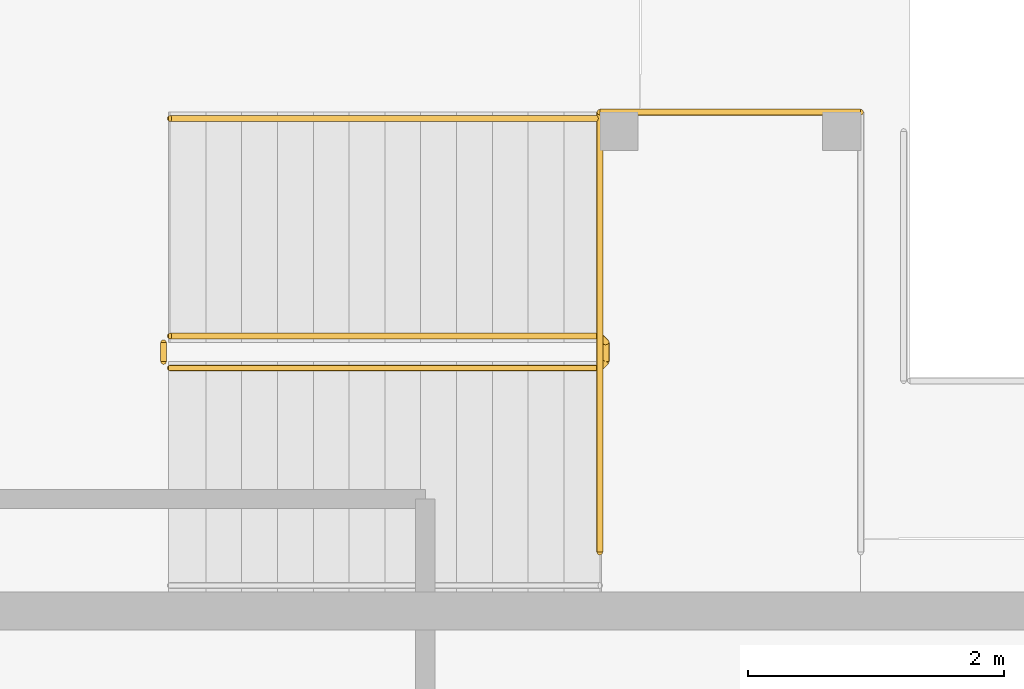
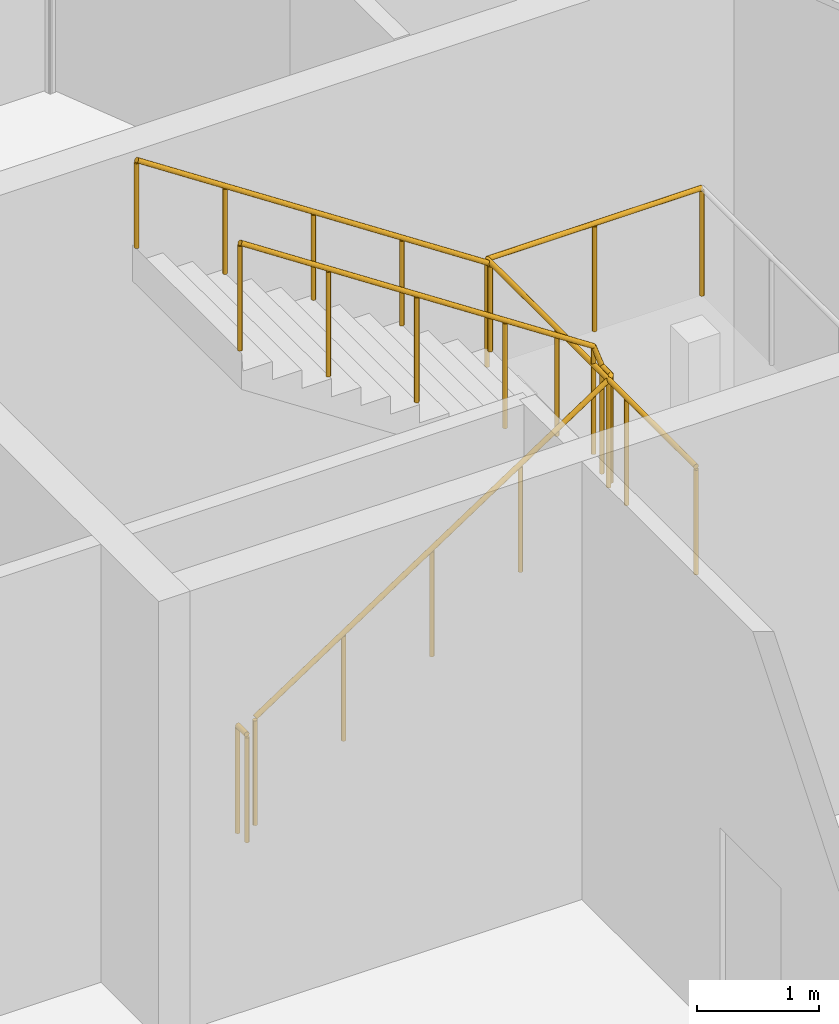
# One storey, part 39 of 42: 5 railings.
"""IFC4 building model written with IfcOpenShell, lengths in metres."""

from ifc_helpers import new_model, si_unit, direction, frame, origin, origin_2d, place, context, subcontext, project, spatial, circle, extrude, material, type_object, element, save


model = new_model("IFC4")

# Units and contexts
model_context = context("Model", 3, precision=1e-05, world=origin(), true_north=direction((0.0, 1.0)))
body_context = subcontext(model_context, "Body", "Model", "MODEL_VIEW")
ifc_project = project(units=[si_unit("LENGTHUNIT", "METRE"), si_unit("AREAUNIT", "SQUARE_METRE"), si_unit("VOLUMEUNIT", "CUBIC_METRE"), si_unit("PLANEANGLEUNIT", "RADIAN"), si_unit("MASSUNIT", "GRAM", prefix="KILO")], contexts=[model_context])

# Site, building, storey
site_placement = place(None, origin())
site = spatial("IfcSite", under=ifc_project, at=site_placement, CompositionType="ELEMENT")
building_placement = place(site_placement, origin())
building = spatial("IfcBuilding", under=site, at=building_placement, Name="Wharfspan Tower", CompositionType="ELEMENT")
storey_placement = place(building_placement, frame((0.0, 0.0, 147.100098)))
storey = spatial("IfcBuildingStorey", under=building, at=storey_placement, Name="L35", CompositionType="ELEMENT", Elevation=147.100098)

# Railings
ifc_material = material(Name="Steel S355J2", Category="steel")
railing_type_1 = type_object("IfcRailingType", Name="Stair guard 1100", PredefinedType="GUARDRAIL", material=ifc_material)
railing_1_placement = place(storey_placement, frame((71.404541, 25.774902, 2.399902)))
element("IfcRailing", 1, at=railing_1_placement, inside=storey, type_object=railing_type_1, Name="L35 ST6 band guard 2", PredefinedType="GUARDRAIL", context=body_context, shape_type="SweptSolid", body=[
    extrude(circle(Radius=0.023926, at=origin_2d()), frame((0.0, 0.0, 1.076172), z_axis=(-1.0, 0.0, 0.0), x_axis=(0.0, -1.0, 0.0)), (0.0, 0.0, 1.0), 2.040039),
    extrude(circle(Radius=0.020996, at=origin_2d()), origin(), (0.0, 0.0, 1.0), 1.052002),
    extrude(circle(Radius=0.020996, at=origin_2d()), frame((-1.02002, 0.0, 0.0)), (0.0, 0.0, 1.0), 1.052002),
    extrude(circle(Radius=0.020996, at=origin_2d()), frame((-2.040039, 0.0, 0.0)), (0.0, 0.0, 1.0), 1.052002),
])
railing_2_placement = place(storey_placement, frame((69.364502, 25.774902, 2.399902)))
element("IfcRailing", 2, at=railing_2_placement, inside=storey, type_object=railing_type_1, Name="L35 ST6 band guard 3", PredefinedType="GUARDRAIL", context=body_context, shape_type="SweptSolid", body=[
    extrude(circle(Radius=0.023926, at=origin_2d()), frame((0.0, 0.0, 1.076172), z_axis=(0.0, -1.0, 0.0), x_axis=(1.0, 0.0, 0.0)), (0.0, 0.0, 1.0), 3.439941),
    extrude(circle(Radius=0.020996, at=origin_2d()), origin(), (0.0, 0.0, 1.0), 1.052002),
    extrude(circle(Radius=0.020996, at=origin_2d()), frame((0.0, -1.146729, 0.0)), (0.0, 0.0, 1.0), 1.052002),
    extrude(circle(Radius=0.020996, at=origin_2d()), frame((0.0, -2.293213, 0.0)), (0.0, 0.0, 1.0), 1.052002),
    extrude(circle(Radius=0.020996, at=origin_2d()), frame((0.0, -3.439941, 0.0)), (0.0, 0.0, 1.0), 1.052002),
])
railing_3_placement = place(storey_placement, frame((66.004639, 23.774902, 0.18457)))
element("IfcRailing", 3, at=railing_3_placement, inside=storey, type_object=railing_type_1, Name="L35 ST6 stair guard 1", PredefinedType="GUARDRAIL", context=body_context, shape_type="SweptSolid", body=[
    extrude(circle(Radius=0.023926, at=origin_2d()), frame((0.0, 0.0, 1.076172), z_axis=(0.834858, 0.0, 0.550465), x_axis=(0.0, 1.0, 0.0)), (0.0, 0.0, 1.0), 4.024414),
    extrude(circle(Radius=0.023926, at=origin_2d()), frame((3.359863, 0.0, 3.291504), z_axis=(0.707107, 0.707107, 0.0), x_axis=(-0.707107, 0.707107, 0.0)), (0.0, 0.0, 1.0), 0.070801),
    extrude(circle(Radius=0.023926, at=origin_2d()), frame((3.409912, 0.050049, 3.291504), z_axis=(0.0, 1.0, 0.0), x_axis=(-1.0, 0.0, 0.0)), (0.0, 0.0, 1.0), 0.150146),
    extrude(circle(Radius=0.023926, at=origin_2d()), frame((3.409912, 0.200195, 3.291504), z_axis=(-0.253265, 0.252029, 0.933991), x_axis=(-0.705374, -0.708837, 1e-06)), (0.0, 0.0, 1.0), 0.19751),
    extrude(circle(Radius=0.023926, at=origin_2d()), frame((3.359863, 0.25, 3.476074), z_axis=(-0.834858, 0.0, 0.550465), x_axis=(0.0, -1.0, 0.0)), (0.0, 0.0, 1.0), 4.024414),
    extrude(circle(Radius=0.020996, at=origin_2d()), origin(), (0.0, 0.0, 1.0), 1.052002),
    extrude(circle(Radius=0.020996, at=origin_2d()), frame((0.839844, 0.0, 0.553711)), (0.0, 0.0, 1.0), 1.052002),
    extrude(circle(Radius=0.020996, at=origin_2d()), frame((1.679932, 0.0, 1.107666)), (0.0, 0.0, 1.0), 1.052002),
    extrude(circle(Radius=0.020996, at=origin_2d()), frame((2.52002, 0.0, 1.661621)), (0.0, 0.0, 1.0), 1.052002),
    extrude(circle(Radius=0.020996, at=origin_2d()), frame((3.359863, 0.0, 2.215332)), (0.0, 0.0, 1.0), 1.052002),
    extrude(circle(Radius=0.020996, at=origin_2d()), frame((3.409912, 0.050049, 2.215332)), (0.0, 0.0, 1.0), 1.052002),
    extrude(circle(Radius=0.020996, at=origin_2d()), frame((3.409912, 0.200195, 2.215332)), (0.0, 0.0, 1.0), 1.052002),
    extrude(circle(Radius=0.020996, at=origin_2d()), frame((3.359863, 0.25, 2.399902)), (0.0, 0.0, 1.0), 1.052002),
    extrude(circle(Radius=0.020996, at=origin_2d()), frame((2.52002, 0.25, 2.953613)), (0.0, 0.0, 1.0), 1.052002),
    extrude(circle(Radius=0.020996, at=origin_2d()), frame((1.679932, 0.25, 3.507568)), (0.0, 0.0, 1.0), 1.052002),
    extrude(circle(Radius=0.020996, at=origin_2d()), frame((0.839844, 0.25, 4.061523)), (0.0, 0.0, 1.0), 1.052002),
    extrude(circle(Radius=0.020996, at=origin_2d()), frame((0.0, 0.25, 4.615234)), (0.0, 0.0, 1.0), 1.052002),
])
railing_4_placement = place(storey_placement, frame((65.95459, 23.824951, 0.0)))
element("IfcRailing", 4, at=railing_4_placement, inside=storey, type_object=railing_type_1, Name="L35 ST6 stair guard 2", PredefinedType="GUARDRAIL", context=body_context, shape_type="SweptSolid", body=[
    extrude(circle(Radius=0.023926, at=origin_2d()), frame((0.0, 0.0, 1.076172), z_axis=(0.0, 1.0, 0.0), x_axis=(-1.0, 0.0, 0.0)), (0.0, 0.0, 1.0), 0.150146),
    extrude(circle(Radius=0.020996, at=origin_2d()), origin(), (0.0, 0.0, 1.0), 1.052002),
    extrude(circle(Radius=0.020996, at=origin_2d()), frame((0.0, 0.150146, 0.0)), (0.0, 0.0, 1.0), 1.052002),
])
railing_type_2 = type_object("IfcRailingType", Name="Stair handrail 900", PredefinedType="HANDRAIL", material=ifc_material)
railing_5_placement = place(storey_placement, frame((69.364502, 25.725098, 2.584473)))
element("IfcRailing", 5, at=railing_5_placement, inside=storey, type_object=railing_type_2, Name="L35 ST6 stair handrail 2", PredefinedType="HANDRAIL", context=body_context, shape_type="SweptSolid", body=[
    extrude(circle(Radius=0.023926, at=origin_2d()), frame((0.0, 0.0, 0.875977), z_axis=(-0.834858, 0.0, 0.550465), x_axis=(0.0, -1.0, 0.0)), (0.0, 0.0, 1.0), 4.024414),
    extrude(circle(Radius=0.020996, at=origin_2d()), origin(), (0.0, 0.0, 1.0), 0.851807),
    extrude(circle(Radius=0.020996, at=origin_2d()), frame((-0.839844, 0.0, 0.553711)), (0.0, 0.0, 1.0), 0.851807),
    extrude(circle(Radius=0.020996, at=origin_2d()), frame((-1.679932, 0.0, 1.107666)), (0.0, 0.0, 1.0), 0.851807),
    extrude(circle(Radius=0.020996, at=origin_2d()), frame((-2.52002, 0.0, 1.661621)), (0.0, 0.0, 1.0), 0.851807),
    extrude(circle(Radius=0.020996, at=origin_2d()), frame((-3.359863, 0.0, 2.215332)), (0.0, 0.0, 1.0), 0.851807),
])

save(model, "model.ifc")
